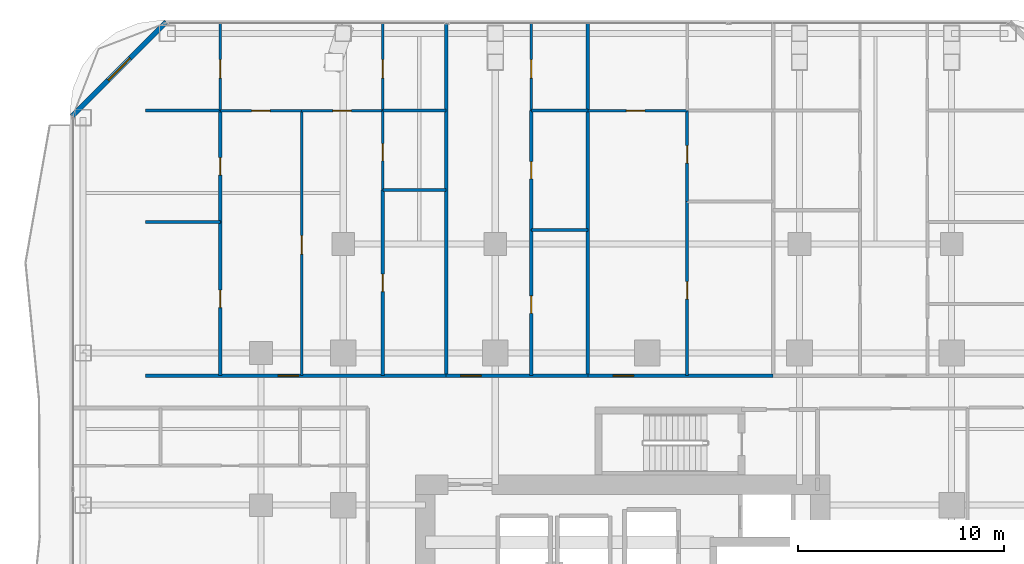
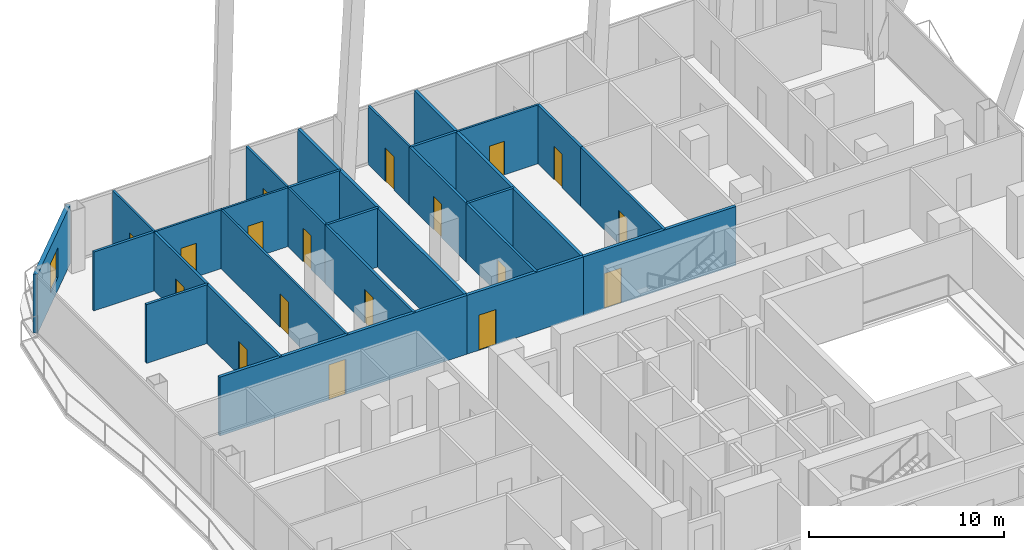
# One storey, part 27 of 32: 27 walls, 18 doors, 1 window, 19 openings.
"""IFC4 building model written with IfcOpenShell, lengths in metres."""

from ifc_helpers import new_model, si_unit, direction, frame, frame_2d, origin, place, context, subcontext, project, spatial, rectangle, extrude, material, layer, layer_set, type_object, element, fill, save


model = new_model("IFC4")

# Units and contexts
model_context = context("Model", 3, precision=1e-05, world=origin(), true_north=direction((0.0, 1.0)))
body_context = subcontext(model_context, "Body", "Model", "MODEL_VIEW")
ifc_project = project(units=[si_unit("LENGTHUNIT", "METRE"), si_unit("AREAUNIT", "SQUARE_METRE"), si_unit("VOLUMEUNIT", "CUBIC_METRE"), si_unit("PLANEANGLEUNIT", "RADIAN"), si_unit("MASSUNIT", "GRAM", prefix="KILO")], contexts=[model_context])

# Site, building, storey
site_placement = place(None, origin())
site = spatial("IfcSite", under=ifc_project, at=site_placement, CompositionType="ELEMENT")
building_placement = place(site_placement, origin())
building = spatial("IfcBuilding", under=site, at=building_placement, Name="Khorvyn Point Tower", CompositionType="ELEMENT")
storey_placement = place(building_placement, frame((0.0, 0.0, 93.0)))
storey = spatial("IfcBuildingStorey", under=building, at=storey_placement, Name="L23", CompositionType="ELEMENT", Elevation=93.0)

# Wall, opening, door
ifc_material_1 = material(Name="Double acoustic gypsum on twin steel stud", Category="steel")
ifc_layer_1 = layer(ifc_material_1, 0.179931640625)
ifc_layer_set_1 = layer_set([ifc_layer_1], Name="Acoustic Double-Stud Apartment Demising Wall 180")
wall_type_1 = type_object("IfcWallType", Name="Acoustic Double-Stud Apartment Demising Wall 180", PredefinedType="PARTITIONING", material=ifc_layer_set_1)
wall_1_placement = place(storey_placement, frame((-24.419921875, 13.699951171875, 0.0), z_axis=(0.0, 0.0, 1.0), x_axis=(1.0, 0.0, 0.0)))
wall_1 = element("IfcWall", 1, at=wall_1_placement, inside=storey, type_object=wall_type_1, Name="Wall", PredefinedType="PARTITIONING", context=body_context, shape_type="SweptSolid", body=[
    extrude(rectangle(XDim=14.634033203125, YDim=0.179931640625, at=frame_2d((7.31689453125, 0.0))), origin(), (0.0, 0.0, 1.0), 3.679931640625),
])
opening_1_placement = place(wall_1_placement, frame((6.457275390625, 0.0, 0.0)))
opening_1 = element("IfcOpeningElement", 2, at=opening_1_placement, cuts=wall_1, Name="Opening ID-AP60", PredefinedType="OPENING", context=body_context, shape_type="SweptSolid", body=[
    extrude(rectangle(XDim=1.0, YDim=2.199951171875, at=frame_2d((0.5, 1.10009765625))), frame((0.0, 0.099853515625, 0.0), z_axis=(0.0, -1.0, 0.0), x_axis=(1.0, 0.0, 0.0)), (0.0, 0.0, 1.0), 0.199951171875),
])
ifc_material_2 = material(Name="Engineered hardwood fire-rated leaf", Category="wood")
door_type_1 = type_object("IfcDoorType", Name="Acoustic Solid-Core Timber Apartment Entrance Door 1000x2200", OperationType="NOTDEFINED", PredefinedType="DOOR", material=ifc_material_2)
door_1_placement = place(opening_1_placement, origin())
door_1 = element("IfcDoor", 3, at=door_1_placement, inside=storey, type_object=door_type_1, Name="Door", OperationType="SINGLE_SWING_RIGHT", OverallHeight=2.199951171875, OverallWidth=1.0, PredefinedType="DOOR", context=body_context, shape_type="SweptSolid", body=[
    extrude(rectangle(XDim=1.0, YDim=2.199951171875, at=frame_2d((0.5, 1.10009765625))), frame((0.0, 0.02490234375, 0.0), z_axis=(0.0, -1.0, 0.0), x_axis=(1.0, 0.0, 0.0)), (0.0, 0.0, 1.0), 0.050048828125),
])
fill(opening_1, door_1)

wall_2_placement = place(storey_placement, frame((-9.785888671875, 13.699951171875, 0.0), z_axis=(0.0, 0.0, 1.0), x_axis=(1.0, 0.0, 0.0)))
wall_2 = element("IfcWall", 4, at=wall_2_placement, inside=storey, type_object=wall_type_1, Name="Wall", PredefinedType="PARTITIONING", context=body_context, shape_type="SweptSolid", body=[
    extrude(rectangle(XDim=6.885986328125, YDim=0.179931640625, at=frame_2d((3.44287109375, 0.0))), origin(), (0.0, 0.0, 1.0), 3.679931640625),
])
opening_2_placement = place(wall_2_placement, frame((0.698486328125, 0.0, 0.0)))
opening_2 = element("IfcOpeningElement", 5, at=opening_2_placement, cuts=wall_2, Name="Opening ID-AP60", PredefinedType="OPENING", context=body_context, shape_type="SweptSolid", body=[
    extrude(rectangle(XDim=1.0, YDim=2.199951171875, at=frame_2d((0.5, 1.10009765625))), frame((0.0, 0.099853515625, 0.0), z_axis=(0.0, -1.0, 0.0), x_axis=(1.0, 0.0, 0.0)), (0.0, 0.0, 1.0), 0.199951171875),
])
door_2_placement = place(opening_2_placement, origin())
door_2 = element("IfcDoor", 6, at=door_2_placement, inside=storey, type_object=door_type_1, Name="Door", OperationType="SINGLE_SWING_RIGHT", OverallHeight=2.199951171875, OverallWidth=1.0, PredefinedType="DOOR", context=body_context, shape_type="SweptSolid", body=[
    extrude(rectangle(XDim=1.0, YDim=2.199951171875, at=frame_2d((0.5, 1.10009765625))), frame((0.0, 0.02490234375, 0.0), z_axis=(0.0, -1.0, 0.0), x_axis=(1.0, 0.0, 0.0)), (0.0, 0.0, 1.0), 0.050048828125),
])
fill(opening_2, door_2)

wall_3_placement = place(storey_placement, frame((-2.89990234375, 13.699951171875, 0.0), z_axis=(0.0, 0.0, 1.0), x_axis=(1.0, 0.0, 0.0)))
wall_3 = element("IfcWall", 7, at=wall_3_placement, inside=storey, type_object=wall_type_1, Name="Wall", PredefinedType="PARTITIONING", context=body_context, shape_type="SweptSolid", body=[
    extrude(rectangle(XDim=9.016845703125, YDim=0.179931640625, at=frame_2d((4.50830078125, 0.0))), origin(), (0.0, 0.0, 1.0), 3.679931640625),
])
opening_3_placement = place(wall_3_placement, frame((1.23388671875, 0.0, 0.0)))
opening_3 = element("IfcOpeningElement", 8, at=opening_3_placement, cuts=wall_3, Name="Opening ID-AP60", PredefinedType="OPENING", context=body_context, shape_type="SweptSolid", body=[
    extrude(rectangle(XDim=1.0, YDim=2.199951171875, at=frame_2d((0.5, 1.10009765625))), frame((0.0, 0.099853515625, 0.0), z_axis=(0.0, -1.0, 0.0), x_axis=(1.0, 0.0, 0.0)), (0.0, 0.0, 1.0), 0.199951171875),
])
door_3_placement = place(opening_3_placement, origin())
door_3 = element("IfcDoor", 9, at=door_3_placement, inside=storey, type_object=door_type_1, Name="Door", OperationType="SINGLE_SWING_RIGHT", OverallHeight=2.199951171875, OverallWidth=1.0, PredefinedType="DOOR", context=body_context, shape_type="SweptSolid", body=[
    extrude(rectangle(XDim=1.0, YDim=2.199951171875, at=frame_2d((0.5, 1.10009765625))), frame((0.0, 0.02490234375, 0.0), z_axis=(0.0, -1.0, 0.0), x_axis=(1.0, 0.0, 0.0)), (0.0, 0.0, 1.0), 0.050048828125),
])
fill(opening_3, door_3)

# Walls
for number, where, z_axis, x_axis, name in (
    (10, (-9.785888671875, 13.699951171875, 0.0), (0.0, 0.0, 1.0), (0.0, 1.0, 0.0), "Wall"),
    (11, (-2.89990234375, 13.699951171875, 0.0), (0.0, 0.0, 1.0), (0.0, 1.0, 0.0), "Wall"),
):
    element("IfcWall", number, at=place(storey_placement, frame(where, z_axis=z_axis, x_axis=x_axis)), inside=storey, type_object=wall_type_1, Name=name, PredefinedType="PARTITIONING", context=body_context, shape_type="SweptSolid", body=[
        extrude(rectangle(XDim=17.130126953125, YDim=0.179931640625, at=frame_2d((8.56494140625, 0.0))), origin(), (0.0, 0.0, 1.0), 3.679931640625),
    ])

# Wall, opening, window
ifc_material_3 = material(Name="Pale anodised aluminium rainscreen on steel stud", Category="steel")
ifc_layer_2 = layer(ifc_material_3, 0.239990234375)
ifc_layer_set_2 = layer_set([ifc_layer_2], Name="Anodised Aluminium Insulated Corner Spandrel Wall 240")
wall_type_2 = type_object("IfcWallType", Name="Anodised Aluminium Insulated Corner Spandrel Wall 240", PredefinedType="SOLIDWALL", material=ifc_layer_set_2)
wall_4_placement = place(storey_placement, frame((-27.992431640625, 26.3076171875, 0.0), z_axis=(0.0, 0.0, 1.0), x_axis=(0.707106781187, 0.707106781187, 0.0)))
wall_4 = element("IfcWall", 12, at=wall_4_placement, inside=storey, type_object=wall_type_2, Name="L23 Rounded Corner Wall NW", PredefinedType="SOLIDWALL", context=body_context, shape_type="SweptSolid", body=[
    extrude(rectangle(XDim=6.48388671875, YDim=0.239990234375, at=frame_2d((3.241943359375, 0.0))), origin(), (0.0, 0.0, 1.0), 3.679931640625),
])
opening_4_placement = place(wall_4_placement, frame((2.491943359375, 0.0, 0.800048828125)))
opening_4 = element("IfcOpeningElement", 13, at=opening_4_placement, cuts=wall_4, Name="Opening WN-1518", PredefinedType="OPENING", context=body_context, shape_type="SweptSolid", body=[
    extrude(rectangle(XDim=1.5, YDim=1.85009765625, at=frame_2d((0.75, 0.925048828125))), frame((0.0, 0.1298828125, 0.0), z_axis=(0.0, -1.0, 0.0), x_axis=(1.0, 0.0, 0.0)), (0.0, 0.0, 1.0), 0.260009765625),
])
ifc_material_4 = material(Name="Anodised aluminium 6063-T6 and laminated Low-E glass", Category="aluminium")
window_type = type_object("IfcWindowType", Name="Anodised Aluminium Rounded-Corner Panoramic Window 1500x1850", PartitioningType="SINGLE_PANEL", PredefinedType="WINDOW", material=ifc_material_4)
window_placement = place(opening_4_placement, origin())
window = element("IfcWindow", 14, at=window_placement, inside=storey, type_object=window_type, Name="L23 Corner Panoramic Window NW", OverallHeight=1.85009765625, OverallWidth=1.5, PartitioningType="SINGLE_PANEL", PredefinedType="WINDOW", context=body_context, shape_type="SweptSolid", body=[
    extrude(rectangle(XDim=1.5, YDim=1.85009765625, at=frame_2d((0.75, 0.925048828125))), frame((0.0, 0.030029296875, 0.0), z_axis=(0.0, -1.0, 0.0), x_axis=(1.0, 0.0, 0.0)), (0.0, 0.0, 1.0), 0.06005859375),
])
fill(opening_4, window)

# Wall, opening, door
ifc_material_5 = material(Name="Gypsum plasterboard on steel stud", Category="steel")
ifc_layer_3 = layer(ifc_material_5, 0.1201171875)
ifc_layer_set_3 = layer_set([ifc_layer_3], Name="Gypsum Acoustic Stud Room Partition Wall 120")
wall_type_3 = type_object("IfcWallType", Name="Gypsum Acoustic Stud Room Partition Wall 120", PredefinedType="PARTITIONING", material=ifc_layer_set_3)
wall_5_placement = place(storey_placement, frame((-20.779052734375, 26.590087890625, 0.0), z_axis=(0.0, 0.0, 1.0), x_axis=(1.0, 0.0, 0.0)))
wall_5 = element("IfcWall", 15, at=wall_5_placement, inside=storey, type_object=wall_type_3, Name="Wall", PredefinedType="PARTITIONING", context=body_context, shape_type="SweptSolid", body=[
    extrude(rectangle(XDim=3.953125, YDim=0.1201171875, at=frame_2d((1.9765625, 0.0))), origin(), (0.0, 0.0, 1.0), 3.679931640625),
])
opening_5_placement = place(wall_5_placement, frame((1.526611328125, 0.0, 0.0)))
opening_5 = element("IfcOpeningElement", 16, at=opening_5_placement, cuts=wall_5, Name="Opening ID-RM90", PredefinedType="OPENING", context=body_context, shape_type="SweptSolid", body=[
    extrude(rectangle(XDim=0.89990234375, YDim=2.10009765625, at=frame_2d((0.449951171875, 1.050048828125))), frame((0.0, 0.070068359375, 0.0), z_axis=(0.0, -1.0, 0.0), x_axis=(1.0, 0.0, 0.0)), (0.0, 0.0, 1.0), 0.14013671875),
])
ifc_material_6 = material(Name="Engineered oak veneer timber", Category="wood")
door_type_2 = type_object("IfcDoorType", Name="Flush Engineered Timber Room Door 900x2100", OperationType="NOTDEFINED", PredefinedType="DOOR", material=ifc_material_6)
door_4_placement = place(opening_5_placement, origin())
door_4 = element("IfcDoor", 17, at=door_4_placement, inside=storey, type_object=door_type_2, Name="Door", OperationType="SINGLE_SWING_LEFT", OverallHeight=2.10009765625, OverallWidth=0.89990234375, PredefinedType="DOOR", context=body_context, shape_type="SweptSolid", body=[
    extrude(rectangle(XDim=0.89990234375, YDim=2.10009765625, at=frame_2d((0.449951171875, 1.050048828125))), frame((0.0, 0.02490234375, 0.0), z_axis=(0.0, -1.0, 0.0), x_axis=(1.0, 0.0, 0.0)), (0.0, 0.0, 1.0), 0.050048828125),
])
fill(opening_5, door_4)

wall_6_placement = place(storey_placement, frame((-16.825927734375, 26.590087890625, 0.0), z_axis=(0.0, 0.0, 1.0), x_axis=(1.0, 0.0, 0.0)))
wall_6 = element("IfcWall", 18, at=wall_6_placement, inside=storey, type_object=wall_type_3, Name="Wall", PredefinedType="PARTITIONING", context=body_context, shape_type="SweptSolid", body=[
    extrude(rectangle(XDim=3.952880859375, YDim=0.1201171875, at=frame_2d((1.9765625, 0.0))), origin(), (0.0, 0.0, 1.0), 3.679931640625),
])
opening_6_placement = place(wall_6_placement, frame((1.526611328125, 0.0, 0.0)))
opening_6 = element("IfcOpeningElement", 19, at=opening_6_placement, cuts=wall_6, Name="Opening ID-RM90", PredefinedType="OPENING", context=body_context, shape_type="SweptSolid", body=[
    extrude(rectangle(XDim=0.89990234375, YDim=2.10009765625, at=frame_2d((0.449951171875, 1.050048828125))), frame((0.0, 0.070068359375, 0.0), z_axis=(0.0, -1.0, 0.0), x_axis=(1.0, 0.0, 0.0)), (0.0, 0.0, 1.0), 0.14013671875),
])
door_5_placement = place(opening_6_placement, origin())
door_5 = element("IfcDoor", 20, at=door_5_placement, inside=storey, type_object=door_type_2, Name="Door", OperationType="SINGLE_SWING_RIGHT", OverallHeight=2.10009765625, OverallWidth=0.89990234375, PredefinedType="DOOR", context=body_context, shape_type="SweptSolid", body=[
    extrude(rectangle(XDim=0.89990234375, YDim=2.10009765625, at=frame_2d((0.449951171875, 1.050048828125))), frame((0.0, 0.02490234375, 0.0), z_axis=(0.0, -1.0, 0.0), x_axis=(1.0, 0.0, 0.0)), (0.0, 0.0, 1.0), 0.050048828125),
])
fill(opening_6, door_5)

wall_7_placement = place(storey_placement, frame((-16.825927734375, 13.699951171875, 0.0), z_axis=(0.0, 0.0, 1.0), x_axis=(0.0, 1.0, 0.0)))
wall_7 = element("IfcWall", 21, at=wall_7_placement, inside=storey, type_object=wall_type_3, Name="Wall", PredefinedType="PARTITIONING", context=body_context, shape_type="SweptSolid", body=[
    extrude(rectangle(XDim=12.89013671875, YDim=0.1201171875, at=frame_2d((6.445068359375, 0.0))), origin(), (0.0, 0.0, 1.0), 3.679931640625),
])
opening_7_placement = place(wall_7_placement, frame((5.9052734375, 0.0, 0.0)))
opening_7 = element("IfcOpeningElement", 22, at=opening_7_placement, cuts=wall_7, Name="Opening ID-RM90", PredefinedType="OPENING", context=body_context, shape_type="SweptSolid", body=[
    extrude(rectangle(XDim=0.89990234375, YDim=2.10009765625, at=frame_2d((0.449951171875, 1.050048828125))), frame((0.0, 0.070068359375, 0.0), z_axis=(0.0, -1.0, 0.0), x_axis=(1.0, 0.0, 0.0)), (0.0, 0.0, 1.0), 0.14013671875),
])
door_6_placement = place(opening_7_placement, origin())
door_6 = element("IfcDoor", 23, at=door_6_placement, inside=storey, type_object=door_type_2, Name="Door", OperationType="SINGLE_SWING_LEFT", OverallHeight=2.10009765625, OverallWidth=0.89990234375, PredefinedType="DOOR", context=body_context, shape_type="SweptSolid", body=[
    extrude(rectangle(XDim=0.89990234375, YDim=2.10009765625, at=frame_2d((0.449951171875, 1.050048828125))), frame((0.0, 0.02490234375, 0.0), z_axis=(0.0, -1.0, 0.0), x_axis=(1.0, 0.0, 0.0)), (0.0, 0.0, 1.0), 0.050048828125),
])
fill(opening_7, door_6)

wall_8_placement = place(storey_placement, frame((-20.779052734375, 26.590087890625, 0.0), z_axis=(0.0, 0.0, 1.0), x_axis=(0.0, 1.0, 0.0)))
wall_8 = element("IfcWall", 24, at=wall_8_placement, inside=storey, type_object=wall_type_3, Name="Wall", PredefinedType="PARTITIONING", context=body_context, shape_type="SweptSolid", body=[
    extrude(rectangle(XDim=4.239990234375, YDim=0.1201171875, at=frame_2d((2.1201171875, 0.0))), origin(), (0.0, 0.0, 1.0), 3.679931640625),
])
opening_8_placement = place(wall_8_placement, frame((1.581298828125, 0.0, 0.0)))
opening_8 = element("IfcOpeningElement", 25, at=opening_8_placement, cuts=wall_8, Name="Opening ID-RM90", PredefinedType="OPENING", context=body_context, shape_type="SweptSolid", body=[
    extrude(rectangle(XDim=0.89990234375, YDim=2.10009765625, at=frame_2d((0.449951171875, 1.050048828125))), frame((0.0, 0.070068359375, 0.0), z_axis=(0.0, -1.0, 0.0), x_axis=(1.0, 0.0, 0.0)), (0.0, 0.0, 1.0), 0.14013671875),
])
door_7_placement = place(opening_8_placement, origin())
door_7 = element("IfcDoor", 26, at=door_7_placement, inside=storey, type_object=door_type_2, Name="Door", OperationType="SINGLE_SWING_RIGHT", OverallHeight=2.10009765625, OverallWidth=0.89990234375, PredefinedType="DOOR", context=body_context, shape_type="SweptSolid", body=[
    extrude(rectangle(XDim=0.89990234375, YDim=2.10009765625, at=frame_2d((0.449951171875, 1.050048828125))), frame((0.0, 0.02490234375, 0.0), z_axis=(0.0, -1.0, 0.0), x_axis=(1.0, 0.0, 0.0)), (0.0, 0.0, 1.0), 0.050048828125),
])
fill(opening_8, door_7)

wall_9_placement = place(storey_placement, frame((-12.873046875, 22.722900390625, 0.0), z_axis=(0.0, 0.0, 1.0), x_axis=(0.0, 1.0, 0.0)))
wall_9 = element("IfcWall", 27, at=wall_9_placement, inside=storey, type_object=wall_type_3, Name="Wall", PredefinedType="PARTITIONING", context=body_context, shape_type="SweptSolid", body=[
    extrude(rectangle(XDim=3.8671875, YDim=0.1201171875, at=frame_2d((1.93359375, 0.0))), origin(), (0.0, 0.0, 1.0), 3.679931640625),
])
opening_9_placement = place(wall_9_placement, frame((1.418701171875, 0.0, 0.0)))
opening_9 = element("IfcOpeningElement", 28, at=opening_9_placement, cuts=wall_9, Name="Opening ID-WC85", PredefinedType="OPENING", context=body_context, shape_type="SweptSolid", body=[
    extrude(rectangle(XDim=0.85009765625, YDim=2.10009765625, at=frame_2d((0.425048828125, 1.050048828125))), frame((0.0, 0.070068359375, 0.0), z_axis=(0.0, -1.0, 0.0), x_axis=(1.0, 0.0, 0.0)), (0.0, 0.0, 1.0), 0.14013671875),
])
ifc_material_7 = material(Name="High-pressure laminate on moisture-resistant core", Category="wood")
door_type_3 = type_object("IfcDoorType", Name="Moisture-Resistant Accessible Washroom Door 850x2100", OperationType="NOTDEFINED", PredefinedType="DOOR", material=ifc_material_7)
door_8_placement = place(opening_9_placement, origin())
door_8 = element("IfcDoor", 29, at=door_8_placement, inside=storey, type_object=door_type_3, Name="Door", OperationType="SINGLE_SWING_RIGHT", OverallHeight=2.10009765625, OverallWidth=0.85009765625, PredefinedType="DOOR", context=body_context, shape_type="SweptSolid", body=[
    extrude(rectangle(XDim=0.85009765625, YDim=2.10009765625, at=frame_2d((0.425048828125, 1.050048828125))), frame((0.0, 0.02490234375, 0.0), z_axis=(0.0, -1.0, 0.0), x_axis=(1.0, 0.0, 0.0)), (0.0, 0.0, 1.0), 0.050048828125),
])
fill(opening_9, door_8)

wall_10_placement = place(storey_placement, frame((-12.873046875, 26.590087890625, 0.0), z_axis=(0.0, 0.0, 1.0), x_axis=(0.0, 1.0, 0.0)))
wall_10 = element("IfcWall", 30, at=wall_10_placement, inside=storey, type_object=wall_type_3, Name="Wall", PredefinedType="PARTITIONING", context=body_context, shape_type="SweptSolid", body=[
    extrude(rectangle(XDim=4.239990234375, YDim=0.1201171875, at=frame_2d((2.1201171875, 0.0))), origin(), (0.0, 0.0, 1.0), 3.679931640625),
])
opening_10_placement = place(wall_10_placement, frame((1.581298828125, 0.0, 0.0)))
opening_10 = element("IfcOpeningElement", 31, at=opening_10_placement, cuts=wall_10, Name="Opening ID-RM90", PredefinedType="OPENING", context=body_context, shape_type="SweptSolid", body=[
    extrude(rectangle(XDim=0.89990234375, YDim=2.10009765625, at=frame_2d((0.449951171875, 1.050048828125))), frame((0.0, 0.070068359375, 0.0), z_axis=(0.0, -1.0, 0.0), x_axis=(1.0, 0.0, 0.0)), (0.0, 0.0, 1.0), 0.14013671875),
])
door_9_placement = place(opening_10_placement, origin())
door_9 = element("IfcDoor", 32, at=door_9_placement, inside=storey, type_object=door_type_2, Name="Door", OperationType="SINGLE_SWING_LEFT", OverallHeight=2.10009765625, OverallWidth=0.89990234375, PredefinedType="DOOR", context=body_context, shape_type="SweptSolid", body=[
    extrude(rectangle(XDim=0.89990234375, YDim=2.10009765625, at=frame_2d((0.449951171875, 1.050048828125))), frame((0.0, 0.02490234375, 0.0), z_axis=(0.0, -1.0, 0.0), x_axis=(1.0, 0.0, 0.0)), (0.0, 0.0, 1.0), 0.050048828125),
])
fill(opening_10, door_9)

wall_11_placement = place(storey_placement, frame((-5.64990234375, 26.590087890625, 0.0), z_axis=(0.0, 0.0, 1.0), x_axis=(0.0, 1.0, 0.0)))
wall_11 = element("IfcWall", 33, at=wall_11_placement, inside=storey, type_object=wall_type_3, Name="Wall", PredefinedType="PARTITIONING", context=body_context, shape_type="SweptSolid", body=[
    extrude(rectangle(XDim=4.239990234375, YDim=0.1201171875, at=frame_2d((2.1201171875, 0.0))), origin(), (0.0, 0.0, 1.0), 3.679931640625),
])
opening_11_placement = place(wall_11_placement, frame((1.581298828125, 0.0, 0.0)))
opening_11 = element("IfcOpeningElement", 34, at=opening_11_placement, cuts=wall_11, Name="Opening ID-RM90", PredefinedType="OPENING", context=body_context, shape_type="SweptSolid", body=[
    extrude(rectangle(XDim=0.89990234375, YDim=2.10009765625, at=frame_2d((0.449951171875, 1.050048828125))), frame((0.0, 0.070068359375, 0.0), z_axis=(0.0, -1.0, 0.0), x_axis=(1.0, 0.0, 0.0)), (0.0, 0.0, 1.0), 0.14013671875),
])
door_10_placement = place(opening_11_placement, origin())
door_10 = element("IfcDoor", 35, at=door_10_placement, inside=storey, type_object=door_type_2, Name="Door", OperationType="SINGLE_SWING_LEFT", OverallHeight=2.10009765625, OverallWidth=0.89990234375, PredefinedType="DOOR", context=body_context, shape_type="SweptSolid", body=[
    extrude(rectangle(XDim=0.89990234375, YDim=2.10009765625, at=frame_2d((0.449951171875, 1.050048828125))), frame((0.0, 0.02490234375, 0.0), z_axis=(0.0, -1.0, 0.0), x_axis=(1.0, 0.0, 0.0)), (0.0, 0.0, 1.0), 0.050048828125),
])
fill(opening_11, door_10)

wall_12_placement = place(storey_placement, frame((-2.89990234375, 26.590087890625, 0.0), z_axis=(0.0, 0.0, 1.0), x_axis=(1.0, 0.0, 0.0)))
wall_12 = element("IfcWall", 36, at=wall_12_placement, inside=storey, type_object=wall_type_3, Name="Wall", PredefinedType="PARTITIONING", context=body_context, shape_type="SweptSolid", body=[
    extrude(rectangle(XDim=4.827880859375, YDim=0.1201171875, at=frame_2d((2.4140625, 0.0))), origin(), (0.0, 0.0, 1.0), 3.679931640625),
])
opening_12_placement = place(wall_12_placement, frame((1.878173828125, 0.0, 0.0)))
opening_12 = element("IfcOpeningElement", 37, at=opening_12_placement, cuts=wall_12, Name="Opening ID-RM90", PredefinedType="OPENING", context=body_context, shape_type="SweptSolid", body=[
    extrude(rectangle(XDim=0.89990234375, YDim=2.10009765625, at=frame_2d((0.449951171875, 1.050048828125))), frame((0.0, 0.070068359375, 0.0), z_axis=(0.0, -1.0, 0.0), x_axis=(1.0, 0.0, 0.0)), (0.0, 0.0, 1.0), 0.14013671875),
])
door_11_placement = place(opening_12_placement, origin())
door_11 = element("IfcDoor", 38, at=door_11_placement, inside=storey, type_object=door_type_2, Name="Door", OperationType="SINGLE_SWING_LEFT", OverallHeight=2.10009765625, OverallWidth=0.89990234375, PredefinedType="DOOR", context=body_context, shape_type="SweptSolid", body=[
    extrude(rectangle(XDim=0.89990234375, YDim=2.10009765625, at=frame_2d((0.449951171875, 1.050048828125))), frame((0.0, 0.02490234375, 0.0), z_axis=(0.0, -1.0, 0.0), x_axis=(1.0, 0.0, 0.0)), (0.0, 0.0, 1.0), 0.050048828125),
])
fill(opening_12, door_11)

ifc_material_8 = material(Name="Moisture-resistant gypsum and cement board", Category="gypsum")
ifc_layer_4 = layer(ifc_material_8, 0.14990234375)
ifc_layer_set_4 = layer_set([ifc_layer_4], Name="Moisture-Resistant Wet-Room Partition Wall 150")
wall_type_4 = type_object("IfcWallType", Name="Moisture-Resistant Wet-Room Partition Wall 150", PredefinedType="PARTITIONING", material=ifc_layer_set_4)
wall_13_placement = place(storey_placement, frame((-20.779052734375, 13.699951171875, 0.0), z_axis=(0.0, 0.0, 1.0), x_axis=(0.0, 1.0, 0.0)))
wall_13 = element("IfcWall", 39, at=wall_13_placement, inside=storey, type_object=wall_type_4, Name="Wall", PredefinedType="PARTITIONING", context=body_context, shape_type="SweptSolid", body=[
    extrude(rectangle(XDim=7.47607421875, YDim=0.14990234375, at=frame_2d((3.738037109375, 0.0))), origin(), (0.0, 0.0, 1.0), 3.679931640625),
])
opening_13_placement = place(wall_13_placement, frame((3.31298828125, 0.0, 0.0)))
opening_13 = element("IfcOpeningElement", 40, at=opening_13_placement, cuts=wall_13, Name="Opening ID-WC85", PredefinedType="OPENING", context=body_context, shape_type="SweptSolid", body=[
    extrude(rectangle(XDim=0.85009765625, YDim=2.10009765625, at=frame_2d((0.425048828125, 1.050048828125))), frame((0.0, 0.0849609375, 0.0), z_axis=(0.0, -1.0, 0.0), x_axis=(1.0, 0.0, 0.0)), (0.0, 0.0, 1.0), 0.169921875),
])
door_12_placement = place(opening_13_placement, origin())
door_12 = element("IfcDoor", 41, at=door_12_placement, inside=storey, type_object=door_type_3, Name="Door", OperationType="SINGLE_SWING_RIGHT", OverallHeight=2.10009765625, OverallWidth=0.85009765625, PredefinedType="DOOR", context=body_context, shape_type="SweptSolid", body=[
    extrude(rectangle(XDim=0.85009765625, YDim=2.10009765625, at=frame_2d((0.425048828125, 1.050048828125))), frame((0.0, 0.02490234375, 0.0), z_axis=(0.0, -1.0, 0.0), x_axis=(1.0, 0.0, 0.0)), (0.0, 0.0, 1.0), 0.050048828125),
])
fill(opening_13, door_12)

wall_14_placement = place(storey_placement, frame((-20.779052734375, 21.176025390625, 0.0), z_axis=(0.0, 0.0, 1.0), x_axis=(0.0, 1.0, 0.0)))
wall_14 = element("IfcWall", 42, at=wall_14_placement, inside=storey, type_object=wall_type_4, Name="Wall", PredefinedType="PARTITIONING", context=body_context, shape_type="SweptSolid", body=[
    extrude(rectangle(XDim=5.4140625, YDim=0.14990234375, at=frame_2d((2.70703125, 0.0))), origin(), (0.0, 0.0, 1.0), 3.679931640625),
])
opening_14_placement = place(wall_14_placement, frame((2.281982421875, 0.0, 0.0)))
opening_14 = element("IfcOpeningElement", 43, at=opening_14_placement, cuts=wall_14, Name="Opening ID-WC85", PredefinedType="OPENING", context=body_context, shape_type="SweptSolid", body=[
    extrude(rectangle(XDim=0.85009765625, YDim=2.10009765625, at=frame_2d((0.425048828125, 1.050048828125))), frame((0.0, 0.0849609375, 0.0), z_axis=(0.0, -1.0, 0.0), x_axis=(1.0, 0.0, 0.0)), (0.0, 0.0, 1.0), 0.169921875),
])
door_13_placement = place(opening_14_placement, origin())
door_13 = element("IfcDoor", 44, at=door_13_placement, inside=storey, type_object=door_type_3, Name="Door", OperationType="SINGLE_SWING_LEFT", OverallHeight=2.10009765625, OverallWidth=0.85009765625, PredefinedType="DOOR", context=body_context, shape_type="SweptSolid", body=[
    extrude(rectangle(XDim=0.85009765625, YDim=2.10009765625, at=frame_2d((0.425048828125, 1.050048828125))), frame((0.0, 0.02490234375, 0.0), z_axis=(0.0, -1.0, 0.0), x_axis=(1.0, 0.0, 0.0)), (0.0, 0.0, 1.0), 0.050048828125),
])
fill(opening_14, door_13)

wall_15_placement = place(storey_placement, frame((-12.873046875, 13.699951171875, 0.0), z_axis=(0.0, 0.0, 1.0), x_axis=(0.0, 1.0, 0.0)))
wall_15 = element("IfcWall", 45, at=wall_15_placement, inside=storey, type_object=wall_type_4, Name="Wall", PredefinedType="PARTITIONING", context=body_context, shape_type="SweptSolid", body=[
    extrude(rectangle(XDim=9.02294921875, YDim=0.14990234375, at=frame_2d((4.511474609375, 0.0))), origin(), (0.0, 0.0, 1.0), 3.679931640625),
])
opening_15_placement = place(wall_15_placement, frame((4.08642578125, 0.0, 0.0)))
opening_15 = element("IfcOpeningElement", 46, at=opening_15_placement, cuts=wall_15, Name="Opening ID-WC85", PredefinedType="OPENING", context=body_context, shape_type="SweptSolid", body=[
    extrude(rectangle(XDim=0.85009765625, YDim=2.10009765625, at=frame_2d((0.425048828125, 1.050048828125))), frame((0.0, 0.0849609375, 0.0), z_axis=(0.0, -1.0, 0.0), x_axis=(1.0, 0.0, 0.0)), (0.0, 0.0, 1.0), 0.169921875),
])
door_14_placement = place(opening_15_placement, origin())
door_14 = element("IfcDoor", 47, at=door_14_placement, inside=storey, type_object=door_type_3, Name="Door", OperationType="SINGLE_SWING_LEFT", OverallHeight=2.10009765625, OverallWidth=0.85009765625, PredefinedType="DOOR", context=body_context, shape_type="SweptSolid", body=[
    extrude(rectangle(XDim=0.85009765625, YDim=2.10009765625, at=frame_2d((0.425048828125, 1.050048828125))), frame((0.0, 0.02490234375, 0.0), z_axis=(0.0, -1.0, 0.0), x_axis=(1.0, 0.0, 0.0)), (0.0, 0.0, 1.0), 0.050048828125),
])
fill(opening_15, door_14)

wall_16_placement = place(storey_placement, frame((-5.64990234375, 13.699951171875, 0.0), z_axis=(0.0, 0.0, 1.0), x_axis=(0.0, 1.0, 0.0)))
wall_16 = element("IfcWall", 48, at=wall_16_placement, inside=storey, type_object=wall_type_4, Name="Wall", PredefinedType="PARTITIONING", context=body_context, shape_type="SweptSolid", body=[
    extrude(rectangle(XDim=7.090087890625, YDim=0.14990234375, at=frame_2d((3.544921875, 0.0))), origin(), (0.0, 0.0, 1.0), 3.679931640625),
])
opening_16_placement = place(wall_16_placement, frame((3.0302734375, 0.0, 0.0)))
opening_16 = element("IfcOpeningElement", 49, at=opening_16_placement, cuts=wall_16, Name="Opening ID-WC85", PredefinedType="OPENING", context=body_context, shape_type="SweptSolid", body=[
    extrude(rectangle(XDim=0.85009765625, YDim=2.10009765625, at=frame_2d((0.425048828125, 1.050048828125))), frame((0.0, 0.0849609375, 0.0), z_axis=(0.0, -1.0, 0.0), x_axis=(1.0, 0.0, 0.0)), (0.0, 0.0, 1.0), 0.169921875),
])
door_15_placement = place(opening_16_placement, origin())
door_15 = element("IfcDoor", 50, at=door_15_placement, inside=storey, type_object=door_type_3, Name="Door", OperationType="SINGLE_SWING_LEFT", OverallHeight=2.10009765625, OverallWidth=0.85009765625, PredefinedType="DOOR", context=body_context, shape_type="SweptSolid", body=[
    extrude(rectangle(XDim=0.85009765625, YDim=2.10009765625, at=frame_2d((0.425048828125, 1.050048828125))), frame((0.0, 0.02490234375, 0.0), z_axis=(0.0, -1.0, 0.0), x_axis=(1.0, 0.0, 0.0)), (0.0, 0.0, 1.0), 0.050048828125),
])
fill(opening_16, door_15)

wall_17_placement = place(storey_placement, frame((-5.64990234375, 20.7900390625, 0.0), z_axis=(0.0, 0.0, 1.0), x_axis=(0.0, 1.0, 0.0)))
wall_17 = element("IfcWall", 51, at=wall_17_placement, inside=storey, type_object=wall_type_4, Name="Wall", PredefinedType="PARTITIONING", context=body_context, shape_type="SweptSolid", body=[
    extrude(rectangle(XDim=5.800048828125, YDim=0.14990234375, at=frame_2d((2.89990234375, 0.0))), origin(), (0.0, 0.0, 1.0), 3.679931640625),
])
opening_17_placement = place(wall_17_placement, frame((2.47509765625, 0.0, 0.0)))
opening_17 = element("IfcOpeningElement", 52, at=opening_17_placement, cuts=wall_17, Name="Opening ID-WC85", PredefinedType="OPENING", context=body_context, shape_type="SweptSolid", body=[
    extrude(rectangle(XDim=0.85009765625, YDim=2.10009765625, at=frame_2d((0.425048828125, 1.050048828125))), frame((0.0, 0.0849609375, 0.0), z_axis=(0.0, -1.0, 0.0), x_axis=(1.0, 0.0, 0.0)), (0.0, 0.0, 1.0), 0.169921875),
])
door_16_placement = place(opening_17_placement, origin())
door_16 = element("IfcDoor", 53, at=door_16_placement, inside=storey, type_object=door_type_3, Name="Door", OperationType="SINGLE_SWING_RIGHT", OverallHeight=2.10009765625, OverallWidth=0.85009765625, PredefinedType="DOOR", context=body_context, shape_type="SweptSolid", body=[
    extrude(rectangle(XDim=0.85009765625, YDim=2.10009765625, at=frame_2d((0.425048828125, 1.050048828125))), frame((0.0, 0.02490234375, 0.0), z_axis=(0.0, -1.0, 0.0), x_axis=(1.0, 0.0, 0.0)), (0.0, 0.0, 1.0), 0.050048828125),
])
fill(opening_17, door_16)

wall_18_placement = place(storey_placement, frame((1.927978515625, 13.699951171875, 0.0), z_axis=(0.0, 0.0, 1.0), x_axis=(0.0, 1.0, 0.0)))
wall_18 = element("IfcWall", 54, at=wall_18_placement, inside=storey, type_object=wall_type_4, Name="Wall", PredefinedType="PARTITIONING", context=body_context, shape_type="SweptSolid", body=[
    extrude(rectangle(XDim=8.47412109375, YDim=0.14990234375, at=frame_2d((4.237060546875, 0.0))), origin(), (0.0, 0.0, 1.0), 3.679931640625),
])
opening_18_placement = place(wall_18_placement, frame((3.722900390625, 0.0, 0.0)))
opening_18 = element("IfcOpeningElement", 55, at=opening_18_placement, cuts=wall_18, Name="Opening ID-WC85", PredefinedType="OPENING", context=body_context, shape_type="SweptSolid", body=[
    extrude(rectangle(XDim=0.85009765625, YDim=2.10009765625, at=frame_2d((0.425048828125, 1.050048828125))), frame((0.0, 0.0849609375, 0.0), z_axis=(0.0, -1.0, 0.0), x_axis=(1.0, 0.0, 0.0)), (0.0, 0.0, 1.0), 0.169921875),
])
door_17_placement = place(opening_18_placement, origin())
door_17 = element("IfcDoor", 56, at=door_17_placement, inside=storey, type_object=door_type_3, Name="Door", OperationType="SINGLE_SWING_RIGHT", OverallHeight=2.10009765625, OverallWidth=0.85009765625, PredefinedType="DOOR", context=body_context, shape_type="SweptSolid", body=[
    extrude(rectangle(XDim=0.85009765625, YDim=2.10009765625, at=frame_2d((0.425048828125, 1.050048828125))), frame((0.0, 0.02490234375, 0.0), z_axis=(0.0, -1.0, 0.0), x_axis=(1.0, 0.0, 0.0)), (0.0, 0.0, 1.0), 0.050048828125),
])
fill(opening_18, door_17)

wall_19_placement = place(storey_placement, frame((1.927978515625, 22.174072265625, 0.0), z_axis=(0.0, 0.0, 1.0), x_axis=(0.0, 1.0, 0.0)))
wall_19 = element("IfcWall", 57, at=wall_19_placement, inside=storey, type_object=wall_type_4, Name="Wall", PredefinedType="PARTITIONING", context=body_context, shape_type="SweptSolid", body=[
    extrude(rectangle(XDim=4.416015625, YDim=0.14990234375, at=frame_2d((2.2080078125, 0.0))), origin(), (0.0, 0.0, 1.0), 3.679931640625),
])
opening_19_placement = place(wall_19_placement, frame((1.868408203125, 0.0, 0.0)))
opening_19 = element("IfcOpeningElement", 58, at=opening_19_placement, cuts=wall_19, Name="Opening ID-WC85", PredefinedType="OPENING", context=body_context, shape_type="SweptSolid", body=[
    extrude(rectangle(XDim=0.85009765625, YDim=2.10009765625, at=frame_2d((0.425048828125, 1.050048828125))), frame((0.0, 0.0849609375, 0.0), z_axis=(0.0, -1.0, 0.0), x_axis=(1.0, 0.0, 0.0)), (0.0, 0.0, 1.0), 0.169921875),
])
door_18_placement = place(opening_19_placement, origin())
door_18 = element("IfcDoor", 59, at=door_18_placement, inside=storey, type_object=door_type_3, Name="Door", OperationType="SINGLE_SWING_LEFT", OverallHeight=2.10009765625, OverallWidth=0.85009765625, PredefinedType="DOOR", context=body_context, shape_type="SweptSolid", body=[
    extrude(rectangle(XDim=0.85009765625, YDim=2.10009765625, at=frame_2d((0.425048828125, 1.050048828125))), frame((0.0, 0.02490234375, 0.0), z_axis=(0.0, -1.0, 0.0), x_axis=(1.0, 0.0, 0.0)), (0.0, 0.0, 1.0), 0.050048828125),
])
fill(opening_19, door_18)

# Walls
for number, where, z_axis, x_axis, name in (
    (60, (-24.419921875, 21.176025390625, 0.0), (0.0, 0.0, 1.0), (1.0, 0.0, 0.0), "Wall"),
    (61, (-24.419921875, 26.590087890625, 0.0), (0.0, 0.0, 1.0), (1.0, 0.0, 0.0), "Wall"),
):
    element("IfcWall", number, at=place(storey_placement, frame(where, z_axis=z_axis, x_axis=x_axis)), inside=storey, type_object=wall_type_4, Name=name, PredefinedType="PARTITIONING", context=body_context, shape_type="SweptSolid", body=[
        extrude(rectangle(XDim=3.640869140625, YDim=0.14990234375, at=frame_2d((1.8203125, 0.0))), origin(), (0.0, 0.0, 1.0), 3.679931640625),
    ])
for number, where, z_axis, x_axis, name in (
    (62, (-12.873046875, 22.722900390625, 0.0), (0.0, 0.0, 1.0), (1.0, 0.0, 0.0), "Wall"),
    (63, (-12.873046875, 26.590087890625, 0.0), (0.0, 0.0, 1.0), (1.0, 0.0, 0.0), "Wall"),
):
    element("IfcWall", number, at=place(storey_placement, frame(where, z_axis=z_axis, x_axis=x_axis)), inside=storey, type_object=wall_type_4, Name=name, PredefinedType="PARTITIONING", context=body_context, shape_type="SweptSolid", body=[
        extrude(rectangle(XDim=3.087158203125, YDim=0.14990234375, at=frame_2d((1.54345703125, 0.0))), origin(), (0.0, 0.0, 1.0), 3.679931640625),
    ])
for number, where, z_axis, x_axis, name in (
    (64, (-5.64990234375, 20.7900390625, 0.0), (0.0, 0.0, 1.0), (1.0, 0.0, 0.0), "Wall"),
    (65, (-5.64990234375, 26.590087890625, 0.0), (0.0, 0.0, 1.0), (1.0, 0.0, 0.0), "Wall"),
):
    element("IfcWall", number, at=place(storey_placement, frame(where, z_axis=z_axis, x_axis=x_axis)), inside=storey, type_object=wall_type_4, Name=name, PredefinedType="PARTITIONING", context=body_context, shape_type="SweptSolid", body=[
        extrude(rectangle(XDim=2.75, YDim=0.14990234375, at=frame_2d((1.375, 0.0))), origin(), (0.0, 0.0, 1.0), 3.679931640625),
    ])

save(model, "model.ifc")
